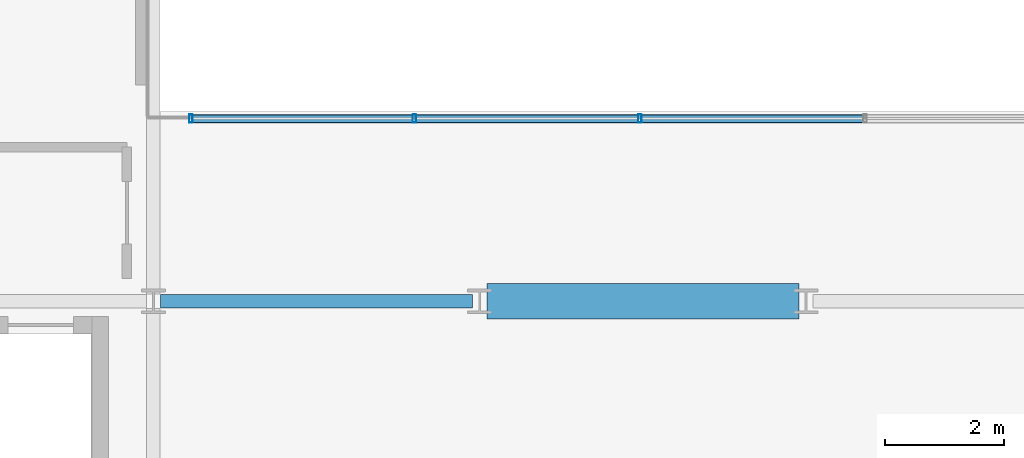
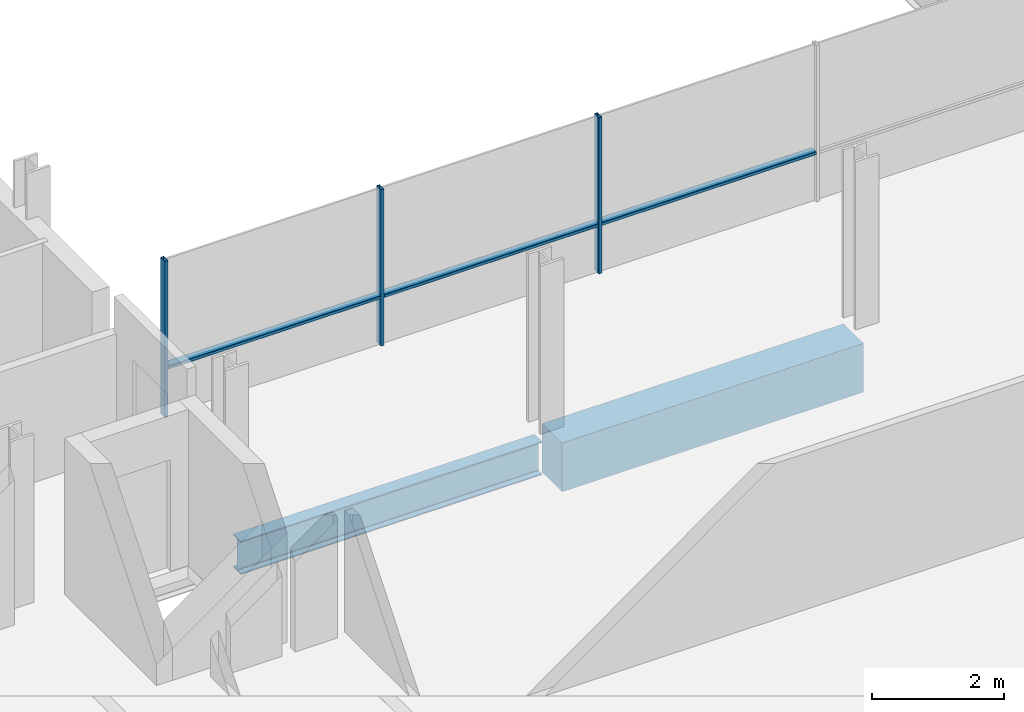
# One storey, part 4 of 41: 6 members, 2 beams, 1 element without a shape of its own.
"""IFC4 building model written with IfcOpenShell, lengths in metres."""

import ifcopenshell
import ifcopenshell.guid

model = None  # the IFC model being written
_history = None  # IfcOwnerHistory: only IFC2X3 demands one
_inside = {}  # id of a spatial element -> (the spatial element, [elements in it])
_under = {}  # id of a project, library or spatial element -> (it, [spatial elements below it])
_declared = {}  # id of a project -> (the project, [libraries it declares])
_typed = {}  # id of a type object -> (the type object, [elements of that type])
_made_of = {}  # id of a material, layer set ... -> (it, [elements and type objects made of it])


def new_model(schema):
    """Start an empty IFC model of exactly this schema.

    Asked for "IFC4X3", IfcOpenShell would pick the latest addendum, in which some entities
    have other attributes; the version numbers below select the first issue.
    IFC2X3 requires an IfcOwnerHistory on every rooted entity: one is made here for all.
    """
    global model, _history
    if schema == "IFC4X3":
        model = ifcopenshell.file(schema_version=(4, 3, 0, 0))
    else:
        model = ifcopenshell.file(schema=schema)
    _inside.clear()
    _under.clear()
    _declared.clear()
    _typed.clear()
    _made_of.clear()
    _history = None
    if model.schema == "IFC2X3":
        org = make("IfcOrganization", Name="unknown")
        user = make(
            "IfcPersonAndOrganization",
            ThePerson=make("IfcPerson", FamilyName="unknown"),
            TheOrganization=org,
        )
        app = make(
            "IfcApplication",
            ApplicationDeveloper=org,
            Version="unknown",
            ApplicationFullName="unknown",
            ApplicationIdentifier="unknown",
        )
        _history = make(
            "IfcOwnerHistory",
            OwningUser=user,
            OwningApplication=app,
            ChangeAction="ADDED",
            CreationDate=0,
        )
    return model


def make(cls, **values):
    """One entity of the class cls with the attributes given. An attribute that is None is left unset."""
    return model.create_entity(
        cls, **{name: value for name, value in values.items() if value is not None}
    )


def rooted(cls, **values):
    """An entity with a GlobalId (a new one), such as an element, a storey or a relation."""
    return make(cls, GlobalId=ifcopenshell.guid.new(), OwnerHistory=_history, **values)


def si_unit(unit_type, name, prefix=None):
    """IfcSIUnit, for example si_unit("LENGTHUNIT", "METRE", prefix="MILLI")."""
    return make("IfcSIUnit", UnitType=unit_type, Prefix=prefix, Name=name)


def assignment(units):
    """IfcUnitAssignment: the units of a project."""
    return None if units is None else make("IfcUnitAssignment", Units=units)


def point(xyz):
    """IfcCartesianPoint."""
    return None if xyz is None else make("IfcCartesianPoint", Coordinates=xyz)


def direction(xyz):
    """IfcDirection."""
    return None if xyz is None else make("IfcDirection", DirectionRatios=xyz)


def frame(location, z_axis=None, x_axis=None):
    """IfcAxis2Placement3D, a coordinate frame: its origin and axes. An axis left out is left unset."""
    return make(
        "IfcAxis2Placement3D",
        Location=point(location),
        Axis=direction(z_axis),
        RefDirection=direction(x_axis),
    )


def frame_2d(location, x_axis=None):
    """IfcAxis2Placement2D, a coordinate frame in the plane: its origin and x axis."""
    return make(
        "IfcAxis2Placement2D", Location=point(location), RefDirection=direction(x_axis)
    )


def origin():
    """The frame at (0, 0, 0) with its axes left unset."""
    return frame((0.0, 0.0, 0.0))


def origin_2d():
    """The frame at (0, 0) in the plane with its x axis left unset."""
    return frame_2d((0.0, 0.0))


def place(relative_to, where):
    """IfcLocalPlacement: puts the frame where relative to a parent placement (None: the world)."""
    return make(
        "IfcLocalPlacement", PlacementRelTo=relative_to, RelativePlacement=where
    )


def context(
    kind, dimensions, precision=None, world=None, true_north=None, identifier=None
):
    """IfcGeometricRepresentationContext, for example the 3D "Model" context."""
    return make(
        "IfcGeometricRepresentationContext",
        ContextIdentifier=identifier,
        ContextType=kind,
        CoordinateSpaceDimension=dimensions,
        Precision=precision,
        WorldCoordinateSystem=world,
        TrueNorth=true_north,
    )


def subcontext(parent, identifier, kind, view, scale=None):
    """IfcGeometricRepresentationSubContext, for example "Body" below "Model"."""
    return make(
        "IfcGeometricRepresentationSubContext",
        ContextIdentifier=identifier,
        ContextType=kind,
        ParentContext=parent,
        TargetScale=scale,
        TargetView=view,
    )


def project(units=None, contexts=None):
    """IfcProject with its units and contexts."""
    return rooted(
        "IfcProject",
        Name="project",
        RepresentationContexts=contexts,
        UnitsInContext=assignment(units),
    )


def spatial(cls, under=None, at=None, **own):
    """A site, building, storey or space (cls), placed at a placement, below another one or the project."""
    s = rooted(cls, ObjectPlacement=at, **own)
    if under is not None:
        _under.setdefault(under.id(), (under, []))[1].append(s)
    return s


def profile(cls, at=None, kind="AREA", **sizes):
    """A parametric profile (cls). Its sizes go by their IFC names, for example OverallWidth=200.0."""
    return make(cls, ProfileType=kind, Position=at, **sizes)


def rectangle(**sizes):
    """IfcRectangleProfileDef."""
    return profile("IfcRectangleProfileDef", **sizes)


def hollow_rectangle(**sizes):
    """IfcRectangleHollowProfileDef."""
    return profile("IfcRectangleHollowProfileDef", **sizes)


def i_section(**sizes):
    """IfcIShapeProfileDef."""
    return profile("IfcIShapeProfileDef", **sizes)


def extrude(swept, where, along, depth):
    """IfcExtrudedAreaSolid: the profile swept, set in the frame where, extruded along a direction by depth."""
    return make(
        "IfcExtrudedAreaSolid",
        SweptArea=swept,
        Position=where,
        ExtrudedDirection=direction(along),
        Depth=depth,
    )


def shape(context_of_items, identifier, shape_type, items):
    """IfcShapeRepresentation: the items that make up one representation, for example the "Body"."""
    return make(
        "IfcShapeRepresentation",
        ContextOfItems=context_of_items,
        RepresentationIdentifier=identifier,
        RepresentationType=shape_type,
        Items=items,
    )


def material(Name=None, Category=None):
    """IfcMaterial."""
    return make("IfcMaterial", Name=Name, Category=Category)


def layer(
    of_material, thickness, ventilated=None, Name=None, Category=None, Priority=None
):
    """IfcMaterialLayer: one layer of a wall or slab, of a material (None: an air gap)."""
    return make(
        "IfcMaterialLayer",
        Material=of_material,
        LayerThickness=thickness,
        IsVentilated=ventilated,
        Name=Name,
        Category=Category,
        Priority=Priority,
    )


def layer_set(layers, Name=None):
    """IfcMaterialLayerSet."""
    return make("IfcMaterialLayerSet", MaterialLayers=layers, LayerSetName=Name)


def material_profile(
    of_material, cross_section, Name=None, Category=None, Priority=None
):
    """IfcMaterialProfile: a cross section and its material."""
    return make(
        "IfcMaterialProfile",
        Name=Name,
        Material=of_material,
        Profile=cross_section,
        Priority=Priority,
        Category=Category,
    )


def profile_set(profiles, Name=None, composite=None):
    """IfcMaterialProfileSet."""
    return make(
        "IfcMaterialProfileSet",
        Name=Name,
        MaterialProfiles=profiles,
        CompositeProfile=composite,
    )


def made_of(thing, what):
    """Note that an element or type object is made of a material, layer set ...; save() writes the relation."""
    if what is not None:
        _made_of.setdefault(what.id(), (what, []))[1].append(thing)
    return thing


def type_object(cls, material=None, **own):
    """A type object (cls), such as IfcWallType, which elements share."""
    return made_of(rooted(cls, **own), material)


def element(
    cls,
    number,
    at=None,
    inside=None,
    cuts=None,
    type_object=None,
    material=None,
    context=None,
    identifier="Body",
    shape_type=None,
    held_by="IfcProductDefinitionShape",
    body=None,
    shapes=None,
    **own,
):
    """One element of the class cls, such as IfcWall. Its Tag is "e" and its number.

    at: its placement. inside: the storey or other place that contains it. cuts: it is an
    opening in that element (IfcRelVoidsElement). A single representation is given by context,
    identifier, shape_type and body (its items); several are given by shapes. held_by: the class
    of the entity that holds the representations. save() writes the other relations.
    """
    e = rooted(cls, Tag="e%d" % number, ObjectPlacement=at, **own)
    if body is not None:
        shapes = [shape(context, identifier, shape_type, body)]
    if shapes is not None:
        e.Representation = make(held_by, Representations=shapes)
    if inside is not None:
        _inside.setdefault(inside.id(), (inside, []))[1].append(e)
    if cuts is not None:
        rooted(
            "IfcRelVoidsElement", RelatingBuildingElement=cuts, RelatedOpeningElement=e
        )
    if type_object is not None:
        _typed.setdefault(type_object.id(), (type_object, []))[1].append(e)
    return made_of(e, material)


def aggregate(whole, parts):
    """IfcRelAggregates: a whole, such as a stair, and the parts it consists of."""
    return rooted("IfcRelAggregates", RelatingObject=whole, RelatedObjects=parts)


def save(model, path):
    """Write the relations noted so far, then the file.

    IfcRelAggregates (storeys below a building ...), IfcRelContainedInSpatialStructure (elements
    in a storey), IfcRelDefinesByType, IfcRelAssociatesMaterial and IfcRelDeclares: one each for
    every whole, place, type object, material and project.
    """
    for whole, parts in _under.values():
        aggregate(whole, parts)
    for where, things in _inside.values():
        rooted(
            "IfcRelContainedInSpatialStructure",
            RelatedElements=things,
            RelatingStructure=where,
        )
    for kind, things in _typed.values():
        rooted("IfcRelDefinesByType", RelatedObjects=things, RelatingType=kind)
    for what, things in _made_of.values():
        rooted("IfcRelAssociatesMaterial", RelatedObjects=things, RelatingMaterial=what)
    for by, libraries in _declared.values():
        rooted("IfcRelDeclares", RelatingContext=by, RelatedDefinitions=libraries)
    model.write(path)


model = new_model("IFC4")

# Units and contexts
model_context = context("Model", 3, precision=1e-05, world=origin(), true_north=direction((0.0, 1.0)))
body_context = subcontext(model_context, "Body", "Model", "MODEL_VIEW")
ifc_project = project(units=[si_unit("LENGTHUNIT", "METRE"), si_unit("AREAUNIT", "SQUARE_METRE"), si_unit("VOLUMEUNIT", "CUBIC_METRE"), si_unit("PLANEANGLEUNIT", "RADIAN"), si_unit("MASSUNIT", "GRAM", prefix="KILO")], contexts=[model_context])

# Site, building, storey
site_placement = place(None, origin())
site = spatial("IfcSite", under=ifc_project, at=site_placement, CompositionType="ELEMENT")
building_placement = place(site_placement, origin())
building = spatial("IfcBuilding", under=site, at=building_placement, Name="Brevholm Reach", CompositionType="ELEMENT")
storey_placement = place(building_placement, frame((0.0, 0.0, 100.39990234375)))
storey = spatial("IfcBuildingStorey", under=building, at=storey_placement, Name="L29", CompositionType="ELEMENT", Elevation=100.39990234375)

# Beams
ifc_material_1 = material(Name="Concrete C50/60", Category="concrete")
ifc_material_profile_1 = material_profile(ifc_material_1, rectangle(XDim=0.60009765625, YDim=0.89990234375, at=origin_2d()), Name="RC 600x900")
ifc_profile_set_1 = profile_set([ifc_material_profile_1], Name="Concrete C50/60")
beam_type_1 = type_object("IfcBeamType", Name="BM-CB600", PredefinedType="LINTEL", material=ifc_profile_set_1)
beam_1_placement = place(storey_placement, frame((27.3701171875, 10.0, -0.669921875), z_axis=(1.0, 0.0, 0.0), x_axis=(0.0, 1.0, 0.0)))
element("IfcBeam", 1, at=beam_1_placement, inside=storey, type_object=beam_type_1, Name="L29 CB-02 Framing Beam", PredefinedType="LINTEL", context=body_context, shape_type="SweptSolid", body=[
    extrude(rectangle(XDim=0.60009765625, YDim=0.89990234375, at=origin_2d()), origin(), (0.0, 0.0, 1.0), 5.259765625),
])
ifc_material_2 = material(Name="Structural Steel S355J2", Category="steel")
ifc_material_profile_2 = material_profile(ifc_material_2, i_section(OverallWidth=0.22900390625, OverallDepth=0.6123046875, WebThickness=0.011962890625, FlangeThickness=0.01953125, FilletRadius=0.0126953125, at=origin_2d()), Name="UKB 610x229x125")
ifc_profile_set_2 = profile_set([ifc_material_profile_2], Name="Structural Steel S355J2")
beam_type_2 = type_object("IfcBeamType", Name="BM-SP610", PredefinedType="SPANDREL", material=ifc_profile_set_2)
beam_2_placement = place(storey_placement, frame((21.8701171875, 10.0, -0.526123046875), z_axis=(1.0, 0.0, 0.0), x_axis=(0.0, 1.0, 0.0)))
element("IfcBeam", 2, at=beam_2_placement, inside=storey, type_object=beam_type_2, Name="L29 SP-01 Framing Beam", PredefinedType="SPANDREL", context=body_context, shape_type="SweptSolid", body=[
    extrude(i_section(OverallWidth=0.22900390625, OverallDepth=0.6123046875, WebThickness=0.011962890625, FlangeThickness=0.01953125, FilletRadius=0.0126953125, at=origin_2d()), origin(), (0.0, 0.0, 1.0), 5.259765625),
])

# Curtain wall, members
ifc_material_3 = material(Name="Dark Anodised Aluminium 6063-T6 and Solar-Control Glass", Category="aluminium")
ifc_layer = layer(ifc_material_3, 0.139892578125)
ifc_layer_set = layer_set([ifc_layer], Name="Dark Anodised Aluminium 6063-T6 and Solar-Control Glass")
curtain_wall_type = type_object("IfcCurtainWallType", Name="CW-02", PredefinedType="NOTDEFINED", material=ifc_layer_set)
curtain_wall_placement = place(storey_placement, origin())
curtain_wall = element("IfcCurtainWall", 3, at=curtain_wall_placement, inside=storey, type_object=curtain_wall_type, Name="L29 Curtain Wall CW-02", PredefinedType="NOTDEFINED")
ifc_material_4 = material(Name="Dark Anodised Aluminium 6063-T6", Category="aluminium")
ifc_material_profile_3 = material_profile(ifc_material_4, hollow_rectangle(XDim=0.06005859375, YDim=0.139892578125, WallThickness=0.0048828125, InnerFilletRadius=0.0048828125, OuterFilletRadius=0.010009765625, at=origin_2d()), Name="RHS 140x60x5")
ifc_profile_set_3 = profile_set([ifc_material_profile_3], Name="Dark Anodised Aluminium 6063-T6")
member_type_1 = type_object("IfcMemberType", Name="CWM-140", PredefinedType="MULLION", material=ifc_profile_set_3)
member_1_placement = place(storey_placement, frame((22.3798828125, 13.080078125, 0.0), z_axis=(0.0, 0.0, 1.0), x_axis=(1.0, 0.0, 0.0)))
member_1 = element("IfcMember", 4, at=member_1_placement, type_object=member_type_1, Name="CM-140 Mullion 1", PredefinedType="MULLION", context=body_context, shape_type="SweptSolid", body=[
    extrude(hollow_rectangle(XDim=0.06005859375, YDim=0.139892578125, WallThickness=0.0048828125, InnerFilletRadius=0.0048828125, OuterFilletRadius=0.010009765625, at=origin_2d()), origin(), (0.0, 0.0, 1.0), 2.880126953125),
])
member_2_placement = place(storey_placement, frame((26.14990234375, 13.080078125, 0.0), z_axis=(0.0, 0.0, 1.0), x_axis=(1.0, 0.0, 0.0)))
member_2 = element("IfcMember", 5, at=member_2_placement, type_object=member_type_1, Name="CM-140 Mullion 2", PredefinedType="MULLION", context=body_context, shape_type="SweptSolid", body=[
    extrude(hollow_rectangle(XDim=0.06005859375, YDim=0.139892578125, WallThickness=0.0048828125, InnerFilletRadius=0.0048828125, OuterFilletRadius=0.010009765625, at=origin_2d()), origin(), (0.0, 0.0, 1.0), 2.880126953125),
])
member_3_placement = place(storey_placement, frame((29.949951171875, 13.080078125, 0.0), z_axis=(0.0, 0.0, 1.0), x_axis=(1.0, 0.0, 0.0)))
member_3 = element("IfcMember", 6, at=member_3_placement, type_object=member_type_1, Name="CM-140 Mullion 3", PredefinedType="MULLION", context=body_context, shape_type="SweptSolid", body=[
    extrude(hollow_rectangle(XDim=0.06005859375, YDim=0.139892578125, WallThickness=0.0048828125, InnerFilletRadius=0.0048828125, OuterFilletRadius=0.010009765625, at=origin_2d()), origin(), (0.0, 0.0, 1.0), 2.880126953125),
])
ifc_material_5 = material(Name="Dark Anodised Aluminium 6063-T6", Category="aluminium")
ifc_material_profile_4 = material_profile(ifc_material_5, hollow_rectangle(XDim=0.06005859375, YDim=0.139892578125, WallThickness=0.0048828125, InnerFilletRadius=0.0048828125, OuterFilletRadius=0.010009765625, at=origin_2d()), Name="RHS 140x60x5")
ifc_profile_set_4 = profile_set([ifc_material_profile_4], Name="Dark Anodised Aluminium 6063-T6")
member_type_2 = type_object("IfcMemberType", Name="CWT-140", PredefinedType="NOTDEFINED", material=ifc_profile_set_4)
member_4_placement = place(storey_placement, frame((22.409912109375, 13.080078125, 0.900146484375), z_axis=(1.0, 0.0, 0.0), x_axis=(0.0, 0.0, 1.0)))
member_4 = element("IfcMember", 7, at=member_4_placement, type_object=member_type_2, Name="CT-140 Transom 1.1", ObjectType="TRANSOM", PredefinedType="USERDEFINED", context=body_context, shape_type="SweptSolid", body=[
    extrude(hollow_rectangle(XDim=0.06005859375, YDim=0.139892578125, WallThickness=0.0048828125, InnerFilletRadius=0.0048828125, OuterFilletRadius=0.010009765625, at=origin_2d()), origin(), (0.0, 0.0, 1.0), 3.710205078125),
])
member_5_placement = place(storey_placement, frame((26.179931640625, 13.080078125, 0.900146484375), z_axis=(1.0, 0.0, 0.0), x_axis=(0.0, 0.0, 1.0)))
member_5 = element("IfcMember", 8, at=member_5_placement, type_object=member_type_2, Name="CT-140 Transom 2.1", ObjectType="TRANSOM", PredefinedType="USERDEFINED", context=body_context, shape_type="SweptSolid", body=[
    extrude(hollow_rectangle(XDim=0.06005859375, YDim=0.139892578125, WallThickness=0.0048828125, InnerFilletRadius=0.0048828125, OuterFilletRadius=0.010009765625, at=origin_2d()), origin(), (0.0, 0.0, 1.0), 3.739990234375),
])
member_6_placement = place(storey_placement, frame((29.97998046875, 13.080078125, 0.900146484375), z_axis=(1.0, 0.0, 0.0), x_axis=(0.0, 0.0, 1.0)))
member_6 = element("IfcMember", 9, at=member_6_placement, type_object=member_type_2, Name="CT-140 Transom 3.1", ObjectType="TRANSOM", PredefinedType="USERDEFINED", context=body_context, shape_type="SweptSolid", body=[
    extrude(hollow_rectangle(XDim=0.06005859375, YDim=0.139892578125, WallThickness=0.0048828125, InnerFilletRadius=0.0048828125, OuterFilletRadius=0.010009765625, at=origin_2d()), origin(), (0.0, 0.0, 1.0), 3.739990234375),
])
aggregate(curtain_wall, [member_1, member_2, member_3, member_4, member_5, member_6])

save(model, "model.ifc")
